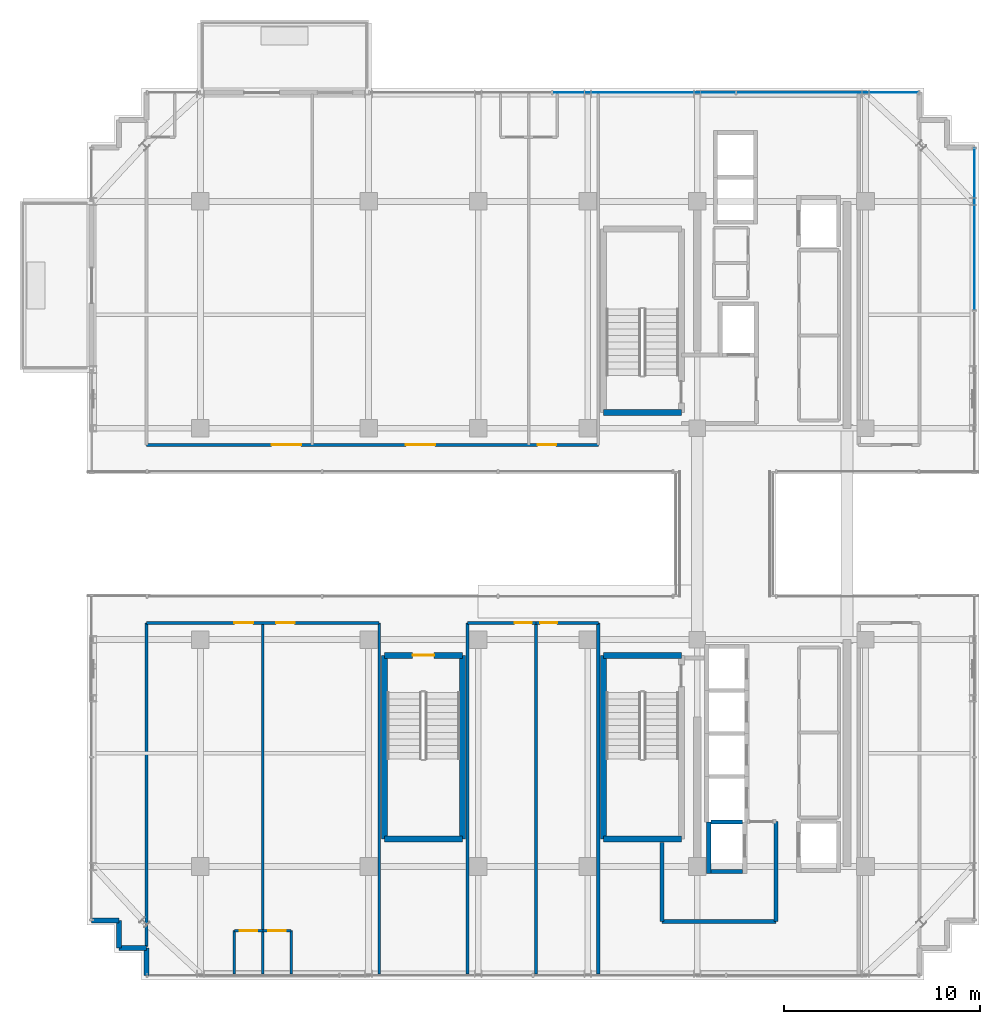
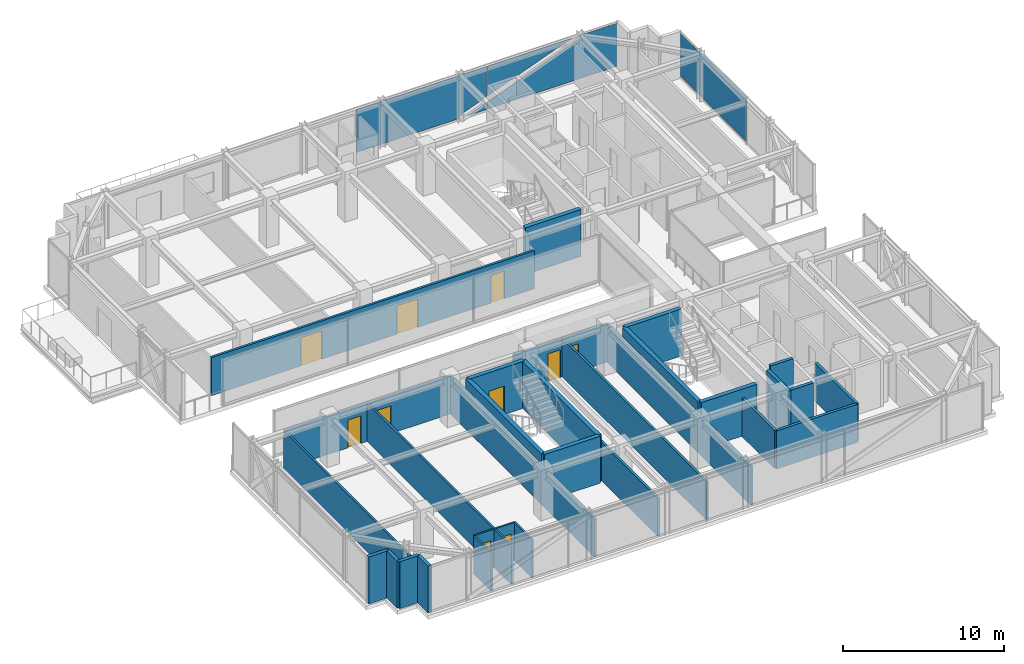
# One storey, part 33 of 40: 32 walls, 10 doors, 3 plates, 10 openings, 2 elements without a shape of their own.
"""IFC4 building model written with IfcOpenShell, lengths in metres."""

from ifc_helpers import new_model, si_unit, direction, frame, frame_2d, origin, origin_2d, place, context, subcontext, project, spatial, polyline, rectangle, outline, extrude, source, transform, mapped, material, layer, layer_set, type_object, element, fill, aggregate, save


model = new_model("IFC4")

# Units and contexts
model_context = context("Model", 3, precision=1e-05, world=origin(), true_north=direction((0.0, 1.0)))
body_context = subcontext(model_context, "Body", "Model", "MODEL_VIEW")
ifc_project = project(units=[si_unit("LENGTHUNIT", "METRE"), si_unit("AREAUNIT", "SQUARE_METRE"), si_unit("VOLUMEUNIT", "CUBIC_METRE"), si_unit("PLANEANGLEUNIT", "RADIAN"), si_unit("MASSUNIT", "GRAM", prefix="KILO")], contexts=[model_context])

# Site, building, storey
site_placement = place(None, origin())
site = spatial("IfcSite", under=ifc_project, at=site_placement, CompositionType="ELEMENT")
building_placement = place(site_placement, origin())
building = spatial("IfcBuilding", under=site, at=building_placement, Name="Nahalor Promenade Grand Hotel", CompositionType="ELEMENT")
storey_placement = place(building_placement, frame((0.0, 0.0, 288.800048828125)))
storey = spatial("IfcBuildingStorey", under=building, at=storey_placement, Name="L74", CompositionType="ELEMENT", Elevation=288.800048828125)

# Curtain wall, plates
ifc_material_1 = material(Name="Anodised Bronze Aluminium EN AW-6063 T6", Category="aluminium")
curtain_wall_type = type_object("IfcCurtainWallType", Name="CW3 Elliptical-Void Collar Unitised Curtain Wall", PredefinedType="USERDEFINED", material=ifc_material_1)
curtain_wall_1_placement = place(storey_placement, origin())
curtain_wall_1 = element("IfcCurtainWall", 1, at=curtain_wall_1_placement, inside=storey, type_object=curtain_wall_type, Name="L74 Curtain Wall CW-L74-N-3", ObjectType="UNITISED_CURTAIN_WALL", PredefinedType="USERDEFINED")
ifc_material_2 = material(Name="Low-E Laminated Solar Glass", Category="glass")
ifc_layer_1 = layer(ifc_material_2, 0.030029296875)
ifc_layer_set_1 = layer_set([ifc_layer_1], Name="Low-E Laminated Solar Glass")
plate_type = type_object("IfcPlateType", Name="CWP3 High-Wind Laminated Bronze IGU 30mm", PredefinedType="CURTAIN_PANEL", material=ifc_layer_set_1)
plate_1_placement = place(storey_placement, frame((5.679931640625, 22.56005859375, 0.139892578125), z_axis=(0.0, 0.0, 1.0), x_axis=(1.0, 0.0, 0.0)))
plate_1 = element("IfcPlate", 2, at=plate_1_placement, type_object=plate_type, Name="CW-L74-N-3 Glazing Panel 1-0", PredefinedType="CURTAIN_PANEL", context=body_context, shape_type="SweptSolid", body=[
    extrude(outline(polyline([(-4.658447265625, 3.27001953125), (-4.658447265625, 0.0), (2.697021484375, 0.0), (2.6259765625, 0.188232421875), (4.658447265625, 0.956298828125), (4.658447265625, 3.27001953125), (-4.658447265625, 3.27001953125)])), frame((0.0, 0.01513671875, 0.0), z_axis=(0.0, -1.0, 0.0), x_axis=(1.0, 0.0, 0.0)), (0.0, 0.0, 1.0), 0.030029296875),
    extrude(outline(polyline([(3.25927734375, 0.0), (4.658447265625, 0.0), (4.658447265625, 0.52880859375), (3.25927734375, 0.0)])), frame((0.0, 0.01513671875, 0.0), z_axis=(0.0, -1.0, 0.0), x_axis=(1.0, 0.0, 0.0)), (0.0, 0.0, 1.0), 0.030029296875),
])
plate_2_placement = place(storey_placement, frame((15.049072265625, 22.56005859375, 0.139892578125), z_axis=(0.0, 0.0, 1.0), x_axis=(1.0, 0.0, 0.0)))
plate_2 = element("IfcPlate", 3, at=plate_2_placement, type_object=plate_type, Name="CW-L74-N-3 Glazing Panel 2-0", PredefinedType="CURTAIN_PANEL", context=body_context, shape_type="SweptSolid", body=[
    extrude(outline(polyline([(4.640869140625, 0.0), (4.640869140625, 3.27001953125), (1.973876953125, 3.27001953125), (2.044921875, 3.081787109375), (-4.640869140625, 0.55517578125), (-4.640869140625, 0.0), (4.640869140625, 0.0)])), frame((0.0, 0.01513671875, 0.0), z_axis=(0.0, -1.0, 0.0), x_axis=(1.0, 0.0, 0.0)), (0.0, 0.0, 1.0), 0.030029296875),
    extrude(outline(polyline([(1.41162109375, 3.27001953125), (-4.640869140625, 3.27001953125), (-4.640869140625, 0.982666015625), (1.41162109375, 3.27001953125)])), frame((0.0, 0.01513671875, 0.0), z_axis=(0.0, -1.0, 0.0), x_axis=(1.0, 0.0, 0.0)), (0.0, 0.0, 1.0), 0.030029296875),
])
aggregate(curtain_wall_1, [plate_1, plate_2])

# Curtain wall, plate
curtain_wall_2_placement = place(storey_placement, origin())
curtain_wall_2 = element("IfcCurtainWall", 4, at=curtain_wall_2_placement, inside=storey, type_object=curtain_wall_type, Name="L74 Curtain Wall CW-L74-E-2", ObjectType="UNITISED_CURTAIN_WALL", PredefinedType="USERDEFINED")
shared_shape_1 = source(origin(), body_context, "Body", "SweptSolid", [
    extrude(rectangle(XDim=8.239501953125, YDim=0.030029296875, at=origin_2d()), origin(), (0.0, 0.0, 1.0), 3.27001953125),
])
plate_3_placement = place(storey_placement, frame((22.56005859375, 15.5703125, 0.139892578125), z_axis=(0.0, 0.0, 1.0), x_axis=(0.0, 1.0, 0.0)))
plate_3 = element("IfcPlate", 5, at=plate_3_placement, type_object=plate_type, Name="CW-L74-E-2 Glazing Panel 1-0", PredefinedType="CURTAIN_PANEL", context=body_context, shape_type="MappedRepresentation", body=[
    mapped(shared_shape_1, transform((0.0, 0.0, 0.0), scale=1.0)),
])
aggregate(curtain_wall_2, [plate_3])

# Walls
ifc_material_3 = material(Name="Concrete B-50 (C40/50)", Category="concrete")
ifc_layer_2 = layer(ifc_material_3, 0.300048828125)
ifc_layer_set_2 = layer_set([ifc_layer_2], Name="Concrete B-50 (C40/50)")
wall_type_1 = type_object("IfcWallType", Name="Wall-ShaftShear-300", PredefinedType="SHEAR", material=ifc_layer_set_2)
shared_shape_2 = source(origin(), body_context, "Body", "SweptSolid", [
    extrude(rectangle(XDim=3.97998046875, YDim=0.300048828125, at=frame_2d((1.989990234375, 0.0))), origin(), (0.0, 0.0, 1.0), 3.550048828125),
])
for number, where, z_axis, x_axis, name in (
    (6, (3.610107421875, 6.2099609375, 0.0), (0.0, 0.0, 1.0), (1.0, 0.0, 0.0), "L74 Exit Stair ST1 Shaft Wall S"),
    (7, (3.610107421875, -15.590087890625, 0.0), (0.0, 0.0, 1.0), (1.0, 0.0, 0.0), "L74 Exit Stair ST2 Shaft Wall S"),
    (8, (3.610107421875, -6.2099609375, 0.0), (0.0, 0.0, 1.0), (1.0, 0.0, 0.0), "L74 Exit Stair ST2 Shaft Wall N"),
    (9, (-7.590087890625, -15.590087890625, 0.0), (0.0, 0.0, 1.0), (1.0, 0.0, 0.0), "L74 Exit Stair ST3 Shaft Wall S"),
):
    element("IfcWall", number, at=place(storey_placement, frame(where, z_axis=z_axis, x_axis=x_axis)), inside=storey, type_object=wall_type_1, Name=name, PredefinedType="SHEAR", context=body_context, shape_type="MappedRepresentation", body=[
        mapped(shared_shape_2, transform((0.0, 0.0, 0.0), scale=1.0)),
    ])

# Wall, opening, door
wall_1_placement = place(storey_placement, frame((-7.590087890625, -6.2099609375, 0.0), z_axis=(0.0, 0.0, 1.0), x_axis=(1.0, 0.0, 0.0)))
wall_1 = element("IfcWall", 10, at=wall_1_placement, inside=storey, type_object=wall_type_1, Name="L74 Exit Stair ST3 Shaft Wall N", PredefinedType="SHEAR", context=body_context, shape_type="MappedRepresentation", body=[
    mapped(shared_shape_2, transform((0.0, 0.0, 0.0), scale=1.0)),
])
opening_1_placement = place(wall_1_placement, frame((1.43994140625, 0.0, 0.0)))
opening_1 = element("IfcOpeningElement", 11, at=opening_1_placement, cuts=wall_1, Name="Opening D-ST1", PredefinedType="OPENING", context=body_context, shape_type="SweptSolid", body=[
    extrude(rectangle(XDim=1.10009765625, YDim=2.14990234375, at=frame_2d((0.550048828125, 1.074951171875))), frame((0.0, 0.159912109375, 0.0), z_axis=(0.0, -1.0, 0.0), x_axis=(1.0, 0.0, 0.0)), (0.0, 0.0, 1.0), 0.320068359375),
])
ifc_material_4 = material(Name="Steel S355JR", Category="steel")
door_type_1 = type_object("IfcDoorType", Name="Door-StairFire-1100", OperationType="NOTDEFINED", PredefinedType="DOOR", material=ifc_material_4)
shared_shape_3 = source(origin(), body_context, "Body", "SweptSolid", [
    extrude(rectangle(XDim=1.10009765625, YDim=2.14990234375, at=frame_2d((0.550048828125, 1.074951171875))), frame((0.0, 0.02490234375, 0.0), z_axis=(0.0, -1.0, 0.0), x_axis=(1.0, 0.0, 0.0)), (0.0, 0.0, 1.0), 0.050048828125),
])
door_1_placement = place(opening_1_placement, frame((1.10009765625, 0.0, 0.0), z_axis=(0.0, 0.0, 1.0), x_axis=(-1.0, 0.0, 0.0)))
door_1 = element("IfcDoor", 12, at=door_1_placement, inside=storey, type_object=door_type_1, Name="DR-STAIR-ST3-L74", OperationType="SINGLE_SWING_LEFT", OverallHeight=2.14990234375, OverallWidth=1.10009765625, PredefinedType="DOOR", context=body_context, shape_type="MappedRepresentation", body=[
    mapped(shared_shape_3, transform((0.0, 0.0, 0.0), scale=1.0)),
])
fill(opening_1, door_1)

# Walls
shared_shape_4 = source(origin(), body_context, "Body", "SweptSolid", [
    extrude(rectangle(XDim=9.380126953125, YDim=0.300048828125, at=frame_2d((4.68994140625, 0.0))), origin(), (0.0, 0.0, 1.0), 3.550048828125),
])
for number, where, z_axis, x_axis, name in (
    (13, (3.610107421875, -15.590087890625, 0.0), (0.0, 0.0, 1.0), (0.0, 1.0, 0.0), "L74 Exit Stair ST2 Shaft Wall W"),
    (14, (-7.590087890625, -15.590087890625, 0.0), (0.0, 0.0, 1.0), (0.0, 1.0, 0.0), "L74 Exit Stair ST3 Shaft Wall W"),
    (15, (-3.610107421875, -15.590087890625, 0.0), (0.0, 0.0, 1.0), (0.0, 1.0, 0.0), "L74 Exit Stair ST3 Shaft Wall E"),
):
    element("IfcWall", number, at=place(storey_placement, frame(where, z_axis=z_axis, x_axis=x_axis)), inside=storey, type_object=wall_type_1, Name=name, PredefinedType="SHEAR", context=body_context, shape_type="MappedRepresentation", body=[
        mapped(shared_shape_4, transform((0.0, 0.0, 0.0), scale=1.0)),
    ])
ifc_layer_3 = layer(ifc_material_3, 0.219970703125)
ifc_layer_set_3 = layer_set([ifc_layer_3], Name="Concrete B-50 (C40/50)")
wall_type_2 = type_object("IfcWallType", Name="Wall-LiftShaft-220", PredefinedType="SHEAR", material=ifc_layer_set_3)
shared_shape_5 = source(origin(), body_context, "Body", "SweptSolid", [
    extrude(rectangle(XDim=2.635009765625, YDim=0.219970703125, at=frame_2d((1.3173828125, 0.0))), origin(), (0.0, 0.0, 1.0), 3.550048828125),
])
wall_2_placement = place(storey_placement, frame((8.97998046875, -17.360107421875, 0.0), z_axis=(0.0, 0.0, 1.0), x_axis=(0.0, 1.0, 0.0)))
element("IfcWall", 16, at=wall_2_placement, inside=storey, type_object=wall_type_2, Name="L74 Lift FL2 Hoistway Wall W", PredefinedType="SHEAR", context=body_context, shape_type="MappedRepresentation", body=[
    mapped(shared_shape_5, transform((0.0, 0.0, 0.0), scale=1.0)),
])
shared_shape_6 = source(origin(), body_context, "Body", "SweptSolid", [
    extrude(rectangle(XDim=1.619873046875, YDim=0.219970703125, at=frame_2d((0.81005859375, 0.0))), origin(), (0.0, 0.0, 1.0), 3.550048828125),
])
wall_3_placement = place(storey_placement, frame((9.090087890625, -17.25, 0.0), z_axis=(0.0, 0.0, 1.0), x_axis=(1.0, 0.0, 0.0)))
element("IfcWall", 17, at=wall_3_placement, inside=storey, type_object=wall_type_2, Name="L74 Lift FL2 Hoistway Wall S", PredefinedType="SHEAR", context=body_context, shape_type="MappedRepresentation", body=[
    mapped(shared_shape_6, transform((0.0, 0.0, 0.0), scale=1.0)),
])
shared_shape_7 = source(origin(), body_context, "Body", "SweptSolid", [
    extrude(rectangle(XDim=1.619873046875, YDim=0.219970703125, at=frame_2d((0.81005859375, 0.0))), origin(), (0.0, 0.0, 1.0), 3.849853515625),
])
wall_4_placement = place(storey_placement, frame((9.090087890625, -14.72509765625, 0.0), z_axis=(0.0, 0.0, 1.0), x_axis=(1.0, 0.0, 0.0)))
element("IfcWall", 18, at=wall_4_placement, inside=storey, type_object=wall_type_2, Name="L74 Lift FL2 Hoistway Wall N", PredefinedType="SHEAR", context=body_context, shape_type="MappedRepresentation", body=[
    mapped(shared_shape_7, transform((0.0, 0.0, 0.0), scale=1.0)),
])
ifc_material_5 = material(Name="Concrete B-40 (C32/40)", Category="concrete")
ifc_layer_4 = layer(ifc_material_5, 0.25)
ifc_layer_set_4 = layer_set([ifc_layer_4], Name="Concrete B-40 (C32/40)")
wall_type_3 = type_object("IfcWallType", Name="Wall-BronzePier-250", PredefinedType="STANDARD", material=ifc_layer_set_4)
shared_shape_8 = source(origin(), body_context, "Body", "SweptSolid", [
    extrude(rectangle(XDim=1.400146484375, YDim=0.25, at=frame_2d((0.7001953125, 0.0))), origin(), (0.0, 0.0, 1.0), 3.550048828125),
])
for number, where, z_axis, x_axis, name in (
    (19, (-22.56005859375, -19.760009765625, 0.0), (0.0, 0.0, 1.0), (1.0, 0.0, 0.0), "W-L74-SR-13"),
    (20, (-19.760009765625, -22.56005859375, 0.0), (0.0, 0.0, 1.0), (0.0, 1.0, 0.0), "W-L74-SR-16"),
):
    element("IfcWall", number, at=place(storey_placement, frame(where, z_axis=z_axis, x_axis=x_axis)), inside=storey, type_object=wall_type_3, Name=name, PredefinedType="STANDARD", context=body_context, shape_type="MappedRepresentation", body=[
        mapped(shared_shape_8, transform((0.0, 0.0, 0.0), scale=1.0)),
    ])
shared_shape_9 = source(origin(), body_context, "Body", "SweptSolid", [
    extrude(rectangle(XDim=1.39990234375, YDim=0.25, at=frame_2d((0.699951171875, 0.0))), origin(), (0.0, 0.0, 1.0), 3.550048828125),
])
for number, where, z_axis, x_axis, name in (
    (21, (-21.159912109375, -21.159912109375, 0.0), (0.0, 0.0, 1.0), (0.0, 1.0, 0.0), "W-L74-SR-14"),
    (22, (-21.159912109375, -21.159912109375, 0.0), (0.0, 0.0, 1.0), (1.0, 0.0, 0.0), "W-L74-SR-15"),
):
    element("IfcWall", number, at=place(storey_placement, frame(where, z_axis=z_axis, x_axis=x_axis)), inside=storey, type_object=wall_type_3, Name=name, PredefinedType="STANDARD", context=body_context, shape_type="MappedRepresentation", body=[
        mapped(shared_shape_9, transform((0.0, 0.0, 0.0), scale=1.0)),
    ])
ifc_layer_5 = layer(ifc_material_5, 0.199951171875)
ifc_layer_set_5 = layer_set([ifc_layer_5], Name="Concrete B-40 (C32/40)")
wall_type_4 = type_object("IfcWallType", Name="Wall-PartFire-200", PredefinedType="PARTITIONING", material=ifc_layer_set_5)
shared_shape_10 = source(origin(), body_context, "Body", "SweptSolid", [
    extrude(rectangle(XDim=5.81982421875, YDim=0.199951171875, at=frame_2d((2.909912109375, 0.0))), origin(), (0.0, 0.0, 1.0), 2.889892578125),
])
wall_5_placement = place(storey_placement, frame((6.60009765625, -19.800048828125, 0.0), z_axis=(0.0, 0.0, 1.0), x_axis=(1.0, 0.0, 0.0)))
element("IfcWall", 23, at=wall_5_placement, inside=storey, type_object=wall_type_4, Name="W-L74-FF2-S1", PredefinedType="PARTITIONING", context=body_context, shape_type="MappedRepresentation", body=[
    mapped(shared_shape_10, transform((0.0, 0.0, 0.0), scale=1.0)),
])
shared_shape_11 = source(origin(), body_context, "Body", "SweptSolid", [
    extrude(rectangle(XDim=4.030029296875, YDim=0.199951171875, at=frame_2d((2.01513671875, 0.0))), origin(), (0.0, 0.0, 1.0), 2.889892578125),
])
wall_6_placement = place(storey_placement, frame((6.60009765625, -19.800048828125, 0.0), z_axis=(0.0, 0.0, 1.0), x_axis=(0.0, 1.0, 0.0)))
element("IfcWall", 24, at=wall_6_placement, inside=storey, type_object=wall_type_4, Name="W-L74-FF2-W1", PredefinedType="PARTITIONING", context=body_context, shape_type="MappedRepresentation", body=[
    mapped(shared_shape_11, transform((0.0, 0.0, 0.0), scale=1.0)),
])
shared_shape_12 = source(origin(), body_context, "Body", "SweptSolid", [
    extrude(rectangle(XDim=5.10009765625, YDim=0.199951171875, at=frame_2d((2.550048828125, 0.0))), origin(), (0.0, 0.0, 1.0), 2.889892578125),
])
wall_7_placement = place(storey_placement, frame((12.419921875, -19.800048828125, 0.0), z_axis=(0.0, 0.0, 1.0), x_axis=(0.0, 1.0, 0.0)))
element("IfcWall", 25, at=wall_7_placement, inside=storey, type_object=wall_type_4, Name="W-L74-FF2-E", PredefinedType="PARTITIONING", context=body_context, shape_type="MappedRepresentation", body=[
    mapped(shared_shape_12, transform((0.0, 0.0, 0.0), scale=1.0)),
])
ifc_material_6 = material(Name="Acoustic Mineral Gypsum", Category="gypsum")
ifc_layer_6 = layer(ifc_material_6, 0.159912109375)
ifc_layer_set_6 = layer_set([ifc_layer_6], Name="Acoustic Mineral Gypsum")
wall_type_5 = type_object("IfcWallType", Name="Wall-PartCorridor-160", PredefinedType="PARTITIONING", material=ifc_layer_set_6)
shared_shape_13 = source(origin(), body_context, "Body", "SweptSolid", [
    extrude(rectangle(XDim=17.949951171875, YDim=0.159912109375, at=frame_2d((8.97509765625, 0.0))), origin(), (0.0, 0.0, 1.0), 2.889892578125),
])
for number, where, z_axis, x_axis, name in (
    (26, (-3.340087890625, -22.5, 0.0), (0.0, 0.0, 1.0), (0.0, 1.0, 0.0), "W-L74-SCB1-W"),
    (27, (0.14990234375, -22.5, 0.0), (0.0, 0.0, 1.0), (0.0, 1.0, 0.0), "W-L74-SCB1-E"),
    (28, (3.340087890625, -22.5, 0.0), (0.0, 0.0, 1.0), (0.0, 1.0, 0.0), "W-L74-SCB2-E"),
):
    element("IfcWall", number, at=place(storey_placement, frame(where, z_axis=z_axis, x_axis=x_axis)), inside=storey, type_object=wall_type_5, Name=name, PredefinedType="PARTITIONING", context=body_context, shape_type="MappedRepresentation", body=[
        mapped(shared_shape_13, transform((0.0, 0.0, 0.0), scale=1.0)),
    ])

# Wall, openings, doors
shared_shape_14 = source(origin(), body_context, "Body", "SweptSolid", [
    extrude(rectangle(XDim=23.10009765625, YDim=0.159912109375, at=frame_2d((11.550048828125, 0.0))), origin(), (0.0, 0.0, 1.0), 2.889892578125),
])
wall_8_placement = place(storey_placement, frame((-19.760009765625, 4.550048828125, 0.0), z_axis=(0.0, 0.0, 1.0), x_axis=(1.0, 0.0, 0.0)))
wall_8 = element("IfcWall", 29, at=wall_8_placement, inside=storey, type_object=wall_type_5, Name="W-L74-CORR-N", PredefinedType="PARTITIONING", context=body_context, shape_type="MappedRepresentation", body=[
    mapped(shared_shape_14, transform((0.0, 0.0, 0.0), scale=1.0)),
])
opening_2_placement = place(wall_8_placement, frame((6.406982421875, 0.0, 0.0)))
opening_2 = element("IfcOpeningElement", 30, at=opening_2_placement, cuts=wall_8, Name="Opening D-02", PredefinedType="OPENING", context=body_context, shape_type="SweptSolid", body=[
    extrude(rectangle(XDim=1.5, YDim=2.14990234375, at=frame_2d((0.75, 1.074951171875))), frame((0.0, 0.08984375, 0.0), z_axis=(0.0, -1.0, 0.0), x_axis=(1.0, 0.0, 0.0)), (0.0, 0.0, 1.0), 0.179931640625),
])
opening_3_placement = place(wall_8_placement, frame((13.262939453125, 0.0, 0.0)))
opening_3 = element("IfcOpeningElement", 31, at=opening_3_placement, cuts=wall_8, Name="Opening D-02", PredefinedType="OPENING", context=body_context, shape_type="SweptSolid", body=[
    extrude(rectangle(XDim=1.5, YDim=2.14990234375, at=frame_2d((0.75, 1.074951171875))), frame((0.0, 0.08984375, 0.0), z_axis=(0.0, -1.0, 0.0), x_axis=(1.0, 0.0, 0.0)), (0.0, 0.0, 1.0), 0.179931640625),
])
opening_4_placement = place(wall_8_placement, frame((19.993896484375, 0.0, 0.0)))
opening_4 = element("IfcOpeningElement", 32, at=opening_4_placement, cuts=wall_8, Name="Opening D-01", PredefinedType="OPENING", context=body_context, shape_type="SweptSolid", body=[
    extrude(rectangle(XDim=0.949951171875, YDim=2.10009765625, at=frame_2d((0.47509765625, 1.050048828125))), frame((0.0, 0.08984375, 0.0), z_axis=(0.0, -1.0, 0.0), x_axis=(1.0, 0.0, 0.0)), (0.0, 0.0, 1.0), 0.179931640625),
])
ifc_material_7 = material(Name="Fire-Rated Timber Composite", Category="wood")
door_type_2 = type_object("IfcDoorType", Name="Door-SuiteDouble-1500", OperationType="DOUBLE_DOOR_SINGLE_SWING", PredefinedType="DOOR", material=ifc_material_7)
shared_shape_15 = source(origin(), body_context, "Body", "SweptSolid", [
    extrude(rectangle(XDim=1.5, YDim=2.14990234375, at=frame_2d((0.75, 1.074951171875))), frame((0.0, 0.02490234375, 0.0), z_axis=(0.0, -1.0, 0.0), x_axis=(1.0, 0.0, 0.0)), (0.0, 0.0, 1.0), 0.050048828125),
])
door_2_placement = place(opening_2_placement, origin())
door_2 = element("IfcDoor", 33, at=door_2_placement, inside=storey, type_object=door_type_2, Name="DR-L74-N1-ENT", OperationType="DOUBLE_DOOR_SINGLE_SWING", OverallHeight=2.14990234375, OverallWidth=1.5, PredefinedType="DOOR", context=body_context, shape_type="MappedRepresentation", body=[
    mapped(shared_shape_15, transform((0.0, 0.0, 0.0), scale=1.0)),
])
fill(opening_2, door_2)
door_3_placement = place(opening_3_placement, origin())
door_3 = element("IfcDoor", 34, at=door_3_placement, inside=storey, type_object=door_type_2, Name="DR-L74-N2-ENT", OperationType="DOUBLE_DOOR_SINGLE_SWING", OverallHeight=2.14990234375, OverallWidth=1.5, PredefinedType="DOOR", context=body_context, shape_type="MappedRepresentation", body=[
    mapped(shared_shape_15, transform((0.0, 0.0, 0.0), scale=1.0)),
])
fill(opening_3, door_3)
door_type_3 = type_object("IfcDoorType", Name="Door-GuestEntry-950", OperationType="NOTDEFINED", PredefinedType="DOOR", material=ifc_material_7)
shared_shape_16 = source(origin(), body_context, "Body", "SweptSolid", [
    extrude(rectangle(XDim=0.949951171875, YDim=2.10009765625, at=frame_2d((0.47509765625, 1.050048828125))), frame((0.0, 0.02490234375, 0.0), z_axis=(0.0, -1.0, 0.0), x_axis=(1.0, 0.0, 0.0)), (0.0, 0.0, 1.0), 0.050048828125),
])
door_4_placement = place(opening_4_placement, origin())
door_4 = element("IfcDoor", 35, at=door_4_placement, inside=storey, type_object=door_type_3, Name="DR-L74-N3-ENT", OperationType="SINGLE_SWING_RIGHT", OverallHeight=2.10009765625, OverallWidth=0.949951171875, PredefinedType="DOOR", context=body_context, shape_type="MappedRepresentation", body=[
    mapped(shared_shape_16, transform((0.0, 0.0, 0.0), scale=1.0)),
])
fill(opening_4, door_4)

# Walls
ifc_layer_7 = layer(ifc_material_6, 0.139892578125)
ifc_layer_set_7 = layer_set([ifc_layer_7], Name="Acoustic Mineral Gypsum")
wall_type_6 = type_object("IfcWallType", Name="Wall-PartSuite-140", PredefinedType="PARTITIONING", material=ifc_layer_set_7)
shared_shape_17 = source(origin(), body_context, "Body", "SweptSolid", [
    extrude(rectangle(XDim=16.530029296875, YDim=0.139892578125, at=frame_2d((8.26513671875, 0.0))), origin(), (0.0, 0.0, 1.0), 2.889892578125),
])
wall_9_placement = place(storey_placement, frame((-19.760009765625, -21.080078125, 0.0), z_axis=(0.0, 0.0, 1.0), x_axis=(0.0, 1.0, 0.0)))
element("IfcWall", 36, at=wall_9_placement, inside=storey, type_object=wall_type_6, Name="W-L74-SW-ENDW", PredefinedType="PARTITIONING", context=body_context, shape_type="MappedRepresentation", body=[
    mapped(shared_shape_17, transform((0.0, 0.0, 0.0), scale=1.0)),
])
shared_shape_18 = source(origin(), body_context, "Body", "SweptSolid", [
    extrude(rectangle(XDim=17.949951171875, YDim=0.139892578125, at=frame_2d((8.97509765625, 0.0))), origin(), (0.0, 0.0, 1.0), 2.889892578125),
])
for number, where, z_axis, x_axis, name in (
    (37, (-7.860107421875, -22.5, 0.0), (0.0, 0.0, 1.0), (0.0, 1.0, 0.0), "W-L74-SW-ENDE"),
    (38, (-13.81005859375, -22.5, 0.0), (0.0, 0.0, 1.0), (0.0, 1.0, 0.0), "W-L74-SP-1"),
):
    element("IfcWall", number, at=place(storey_placement, frame(where, z_axis=z_axis, x_axis=x_axis)), inside=storey, type_object=wall_type_6, Name=name, PredefinedType="PARTITIONING", context=body_context, shape_type="MappedRepresentation", body=[
        mapped(shared_shape_18, transform((0.0, 0.0, 0.0), scale=1.0)),
    ])

# Wall, opening, door
ifc_layer_8 = layer(ifc_material_6, 0.1201171875)
ifc_layer_set_8 = layer_set([ifc_layer_8], Name="Acoustic Mineral Gypsum")
wall_type_7 = type_object("IfcWallType", Name="Wall-PartBath-120", PredefinedType="PARTITIONING", material=ifc_layer_set_8)
shared_shape_19 = source(origin(), body_context, "Body", "SweptSolid", [
    extrude(rectangle(XDim=1.449951171875, YDim=0.1201171875, at=frame_2d((0.72509765625, 0.0))), origin(), (0.0, 0.0, 1.0), 2.889892578125),
])
wall_10_placement = place(storey_placement, frame((-15.260009765625, -20.280029296875, 0.0), z_axis=(0.0, 0.0, 1.0), x_axis=(1.0, 0.0, 0.0)))
wall_10 = element("IfcWall", 39, at=wall_10_placement, inside=storey, type_object=wall_type_7, Name="W-L74-S1-BH", PredefinedType="PARTITIONING", context=body_context, shape_type="MappedRepresentation", body=[
    mapped(shared_shape_19, transform((0.0, 0.0, 0.0), scale=1.0)),
])
opening_5_placement = place(wall_10_placement, frame((0.284912109375, 0.0, 0.0)))
opening_5 = element("IfcOpeningElement", 40, at=opening_5_placement, cuts=wall_10, Name="Opening D-03", PredefinedType="OPENING", context=body_context, shape_type="SweptSolid", body=[
    extrude(rectangle(XDim=0.8798828125, YDim=2.10009765625, at=frame_2d((0.43994140625, 1.050048828125))), frame((0.0, 0.070068359375, 0.0), z_axis=(0.0, -1.0, 0.0), x_axis=(1.0, 0.0, 0.0)), (0.0, 0.0, 1.0), 0.14013671875),
])
door_type_4 = type_object("IfcDoorType", Name="Door-BathSwing-880", OperationType="NOTDEFINED", PredefinedType="DOOR", material=ifc_material_7)
shared_shape_20 = source(origin(), body_context, "Body", "SweptSolid", [
    extrude(rectangle(XDim=0.8798828125, YDim=2.10009765625, at=frame_2d((0.43994140625, 1.050048828125))), frame((0.0, 0.02490234375, 0.0), z_axis=(0.0, -1.0, 0.0), x_axis=(1.0, 0.0, 0.0)), (0.0, 0.0, 1.0), 0.050048828125),
])
door_5_placement = place(opening_5_placement, frame((0.8798828125, 0.0, 0.0), z_axis=(0.0, 0.0, 1.0), x_axis=(-1.0, 0.0, 0.0)))
door_5 = element("IfcDoor", 41, at=door_5_placement, inside=storey, type_object=door_type_4, Name="DR-L74-S1-BATH", OperationType="SINGLE_SWING_LEFT", OverallHeight=2.10009765625, OverallWidth=0.8798828125, PredefinedType="DOOR", context=body_context, shape_type="MappedRepresentation", body=[
    mapped(shared_shape_20, transform((0.0, 0.0, 0.0), scale=1.0)),
])
fill(opening_5, door_5)

wall_11_placement = place(storey_placement, frame((-13.81005859375, -20.280029296875, 0.0), z_axis=(0.0, 0.0, 1.0), x_axis=(1.0, 0.0, 0.0)))
wall_11 = element("IfcWall", 42, at=wall_11_placement, inside=storey, type_object=wall_type_7, Name="W-L74-S2-BH", PredefinedType="PARTITIONING", context=body_context, shape_type="MappedRepresentation", body=[
    mapped(shared_shape_19, transform((0.0, 0.0, 0.0), scale=1.0)),
])
opening_6_placement = place(wall_11_placement, frame((0.284912109375, 0.0, 0.0)))
opening_6 = element("IfcOpeningElement", 43, at=opening_6_placement, cuts=wall_11, Name="Opening D-03", PredefinedType="OPENING", context=body_context, shape_type="SweptSolid", body=[
    extrude(rectangle(XDim=0.8798828125, YDim=2.10009765625, at=frame_2d((0.43994140625, 1.050048828125))), frame((0.0, 0.070068359375, 0.0), z_axis=(0.0, -1.0, 0.0), x_axis=(1.0, 0.0, 0.0)), (0.0, 0.0, 1.0), 0.14013671875),
])
door_6_placement = place(opening_6_placement, frame((0.8798828125, 0.0, 0.0), z_axis=(0.0, 0.0, 1.0), x_axis=(-1.0, 0.0, 0.0)))
door_6 = element("IfcDoor", 44, at=door_6_placement, inside=storey, type_object=door_type_4, Name="DR-L74-S2-BATH", OperationType="SINGLE_SWING_LEFT", OverallHeight=2.10009765625, OverallWidth=0.8798828125, PredefinedType="DOOR", context=body_context, shape_type="MappedRepresentation", body=[
    mapped(shared_shape_20, transform((0.0, 0.0, 0.0), scale=1.0)),
])
fill(opening_6, door_6)

# Walls
shared_shape_21 = source(origin(), body_context, "Body", "SweptSolid", [
    extrude(rectangle(XDim=2.219970703125, YDim=0.1201171875, at=frame_2d((1.10986328125, 0.0))), origin(), (0.0, 0.0, 1.0), 2.889892578125),
])
for number, where, z_axis, x_axis, name in (
    (45, (-15.260009765625, -22.5, 0.0), (0.0, 0.0, 1.0), (0.0, 1.0, 0.0), "W-L74-S1-BV"),
    (46, (-12.360107421875, -22.5, 0.0), (0.0, 0.0, 1.0), (0.0, 1.0, 0.0), "W-L74-S2-BV"),
):
    element("IfcWall", number, at=place(storey_placement, frame(where, z_axis=z_axis, x_axis=x_axis)), inside=storey, type_object=wall_type_7, Name=name, PredefinedType="PARTITIONING", context=body_context, shape_type="MappedRepresentation", body=[
        mapped(shared_shape_21, transform((0.0, 0.0, 0.0), scale=1.0)),
    ])

# Wall, openings, doors
shared_shape_22 = source(origin(), body_context, "Body", "SweptSolid", [
    extrude(rectangle(XDim=11.89990234375, YDim=0.159912109375, at=frame_2d((5.949951171875, 0.0))), origin(), (0.0, 0.0, 1.0), 2.889892578125),
])
wall_12_placement = place(storey_placement, frame((-19.760009765625, -4.550048828125, 0.0), z_axis=(0.0, 0.0, 1.0), x_axis=(1.0, 0.0, 0.0)))
wall_12 = element("IfcWall", 47, at=wall_12_placement, inside=storey, type_object=wall_type_5, Name="W-L74-CORR-S", PredefinedType="PARTITIONING", context=body_context, shape_type="MappedRepresentation", body=[
    mapped(shared_shape_22, transform((0.0, 0.0, 0.0), scale=1.0)),
])
opening_7_placement = place(wall_12_placement, frame((4.50390625, 0.0, 0.0)))
opening_7 = element("IfcOpeningElement", 48, at=opening_7_placement, cuts=wall_12, Name="Opening D-01", PredefinedType="OPENING", context=body_context, shape_type="SweptSolid", body=[
    extrude(rectangle(XDim=0.949951171875, YDim=2.10009765625, at=frame_2d((0.47509765625, 1.050048828125))), frame((0.0, 0.08984375, 0.0), z_axis=(0.0, -1.0, 0.0), x_axis=(1.0, 0.0, 0.0)), (0.0, 0.0, 1.0), 0.179931640625),
])
opening_8_placement = place(wall_12_placement, frame((6.6279296875, 0.0, 0.0)))
opening_8 = element("IfcOpeningElement", 49, at=opening_8_placement, cuts=wall_12, Name="Opening D-01", PredefinedType="OPENING", context=body_context, shape_type="SweptSolid", body=[
    extrude(rectangle(XDim=0.949951171875, YDim=2.10009765625, at=frame_2d((0.47509765625, 1.050048828125))), frame((0.0, 0.08984375, 0.0), z_axis=(0.0, -1.0, 0.0), x_axis=(1.0, 0.0, 0.0)), (0.0, 0.0, 1.0), 0.179931640625),
])
door_7_placement = place(opening_7_placement, frame((0.949951171875, 0.0, 0.0), z_axis=(0.0, 0.0, 1.0), x_axis=(-1.0, 0.0, 0.0)))
door_7 = element("IfcDoor", 50, at=door_7_placement, inside=storey, type_object=door_type_3, Name="DR-L74-S1-ENT", OperationType="SINGLE_SWING_RIGHT", OverallHeight=2.10009765625, OverallWidth=0.949951171875, PredefinedType="DOOR", context=body_context, shape_type="MappedRepresentation", body=[
    mapped(shared_shape_16, transform((0.0, 0.0, 0.0), scale=1.0)),
])
fill(opening_7, door_7)
door_8_placement = place(opening_8_placement, frame((0.949951171875, 0.0, 0.0), z_axis=(0.0, 0.0, 1.0), x_axis=(-1.0, 0.0, 0.0)))
door_8 = element("IfcDoor", 51, at=door_8_placement, inside=storey, type_object=door_type_3, Name="DR-L74-S2-ENT", OperationType="SINGLE_SWING_RIGHT", OverallHeight=2.10009765625, OverallWidth=0.949951171875, PredefinedType="DOOR", context=body_context, shape_type="MappedRepresentation", body=[
    mapped(shared_shape_16, transform((0.0, 0.0, 0.0), scale=1.0)),
])
fill(opening_8, door_8)

# Wall, opening, door
shared_shape_23 = source(origin(), body_context, "Body", "SweptSolid", [
    extrude(rectangle(XDim=3.489990234375, YDim=0.159912109375, at=frame_2d((1.7451171875, 0.0))), origin(), (0.0, 0.0, 1.0), 2.889892578125),
])
wall_13_placement = place(storey_placement, frame((-3.340087890625, -4.550048828125, 0.0), z_axis=(0.0, 0.0, 1.0), x_axis=(1.0, 0.0, 0.0)))
wall_13 = element("IfcWall", 52, at=wall_13_placement, inside=storey, type_object=wall_type_5, Name="W-L74-SCB1-N", PredefinedType="PARTITIONING", context=body_context, shape_type="MappedRepresentation", body=[
    mapped(shared_shape_23, transform((0.0, 0.0, 0.0), scale=1.0)),
])
opening_9_placement = place(wall_13_placement, frame((2.39990234375, 0.0, 0.0)))
opening_9 = element("IfcOpeningElement", 53, at=opening_9_placement, cuts=wall_13, Name="Opening D-03", PredefinedType="OPENING", context=body_context, shape_type="SweptSolid", body=[
    extrude(rectangle(XDim=0.8798828125, YDim=2.10009765625, at=frame_2d((0.43994140625, 1.050048828125))), frame((0.0, 0.08984375, 0.0), z_axis=(0.0, -1.0, 0.0), x_axis=(1.0, 0.0, 0.0)), (0.0, 0.0, 1.0), 0.179931640625),
])
door_9_placement = place(opening_9_placement, frame((0.8798828125, 0.0, 0.0), z_axis=(0.0, 0.0, 1.0), x_axis=(-1.0, 0.0, 0.0)))
door_9 = element("IfcDoor", 54, at=door_9_placement, inside=storey, type_object=door_type_4, Name="DR-L74-SCB1", OperationType="SINGLE_SWING_LEFT", OverallHeight=2.10009765625, OverallWidth=0.8798828125, PredefinedType="DOOR", context=body_context, shape_type="MappedRepresentation", body=[
    mapped(shared_shape_20, transform((0.0, 0.0, 0.0), scale=1.0)),
])
fill(opening_9, door_9)

shared_shape_24 = source(origin(), body_context, "Body", "SweptSolid", [
    extrude(rectangle(XDim=3.190185546875, YDim=0.159912109375, at=frame_2d((1.59521484375, 0.0))), origin(), (0.0, 0.0, 1.0), 2.889892578125),
])
wall_14_placement = place(storey_placement, frame((0.14990234375, -4.550048828125, 0.0), z_axis=(0.0, 0.0, 1.0), x_axis=(1.0, 0.0, 0.0)))
wall_14 = element("IfcWall", 55, at=wall_14_placement, inside=storey, type_object=wall_type_5, Name="W-L74-SCB2-N", PredefinedType="PARTITIONING", context=body_context, shape_type="MappedRepresentation", body=[
    mapped(shared_shape_24, transform((0.0, 0.0, 0.0), scale=1.0)),
])
opening_10_placement = place(wall_14_placement, frame((0.2099609375, 0.0, 0.0)))
opening_10 = element("IfcOpeningElement", 56, at=opening_10_placement, cuts=wall_14, Name="Opening D-03", PredefinedType="OPENING", context=body_context, shape_type="SweptSolid", body=[
    extrude(rectangle(XDim=0.8798828125, YDim=2.10009765625, at=frame_2d((0.43994140625, 1.050048828125))), frame((0.0, 0.08984375, 0.0), z_axis=(0.0, -1.0, 0.0), x_axis=(1.0, 0.0, 0.0)), (0.0, 0.0, 1.0), 0.179931640625),
])
door_10_placement = place(opening_10_placement, frame((0.8798828125, 0.0, 0.0), z_axis=(0.0, 0.0, 1.0), x_axis=(-1.0, 0.0, 0.0)))
door_10 = element("IfcDoor", 57, at=door_10_placement, inside=storey, type_object=door_type_4, Name="DR-L74-SCB2", OperationType="SINGLE_SWING_RIGHT", OverallHeight=2.10009765625, OverallWidth=0.8798828125, PredefinedType="DOOR", context=body_context, shape_type="MappedRepresentation", body=[
    mapped(shared_shape_20, transform((0.0, 0.0, 0.0), scale=1.0)),
])
fill(opening_10, door_10)

save(model, "model.ifc")
